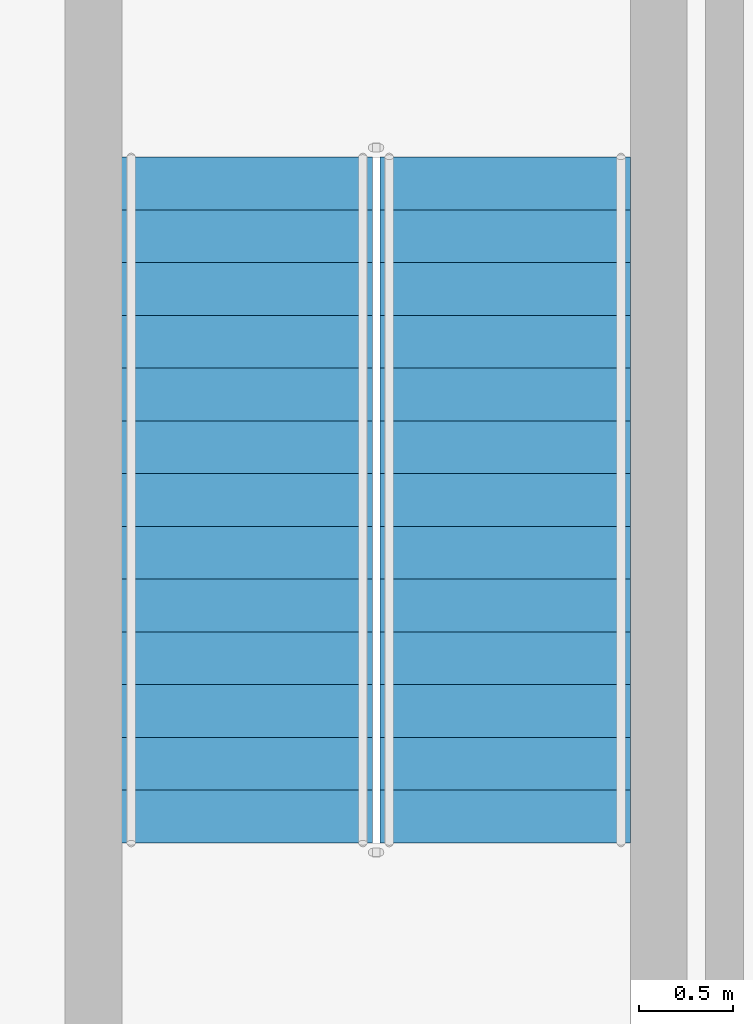
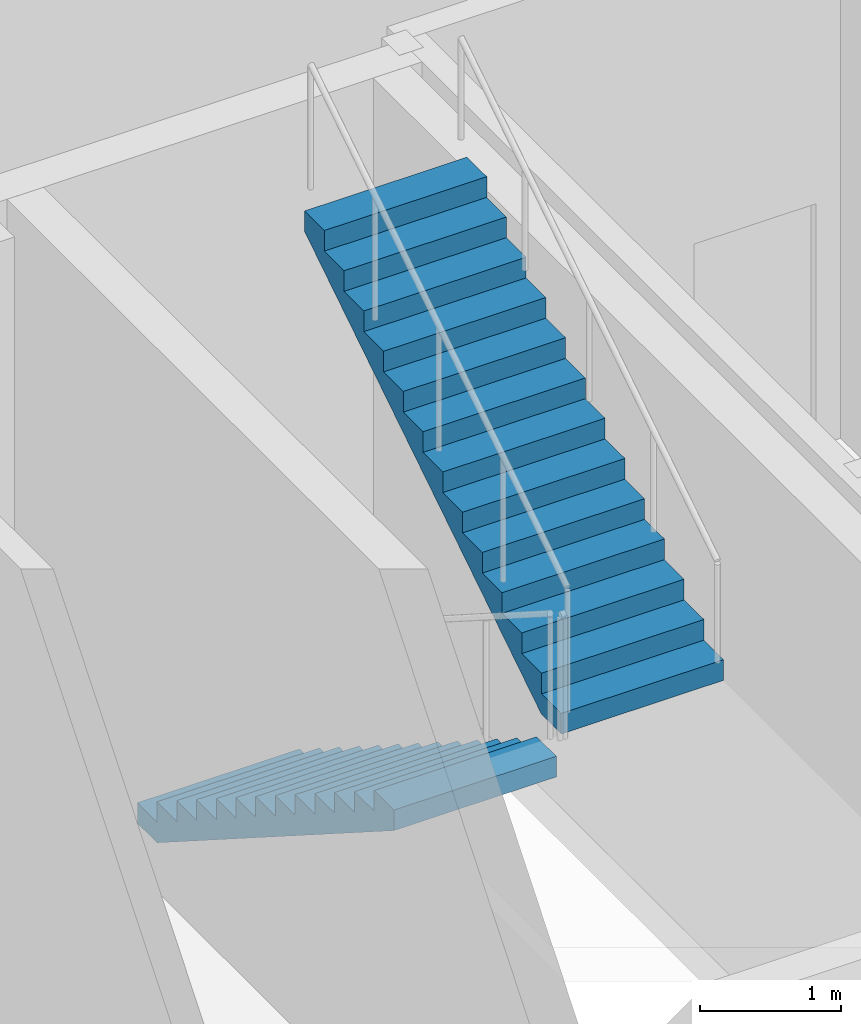
# One storey, part 16 of 31: 2 stair flights, 1 element without a shape of its own.
"""IFC4 building model written with IfcOpenShell, lengths in metres."""

from ifc_helpers import new_model, si_unit, direction, frame, origin, place, context, subcontext, project, spatial, triangles, source, transform, mapped, material, type_object, element, aggregate, save


model = new_model("IFC4")

# Units and contexts
model_context = context("Model", 3, precision=1e-05, world=origin(), true_north=direction((0.0, 1.0)))
body_context = subcontext(model_context, "Body", "Model", "MODEL_VIEW")
ifc_project = project(units=[si_unit("LENGTHUNIT", "METRE"), si_unit("AREAUNIT", "SQUARE_METRE"), si_unit("VOLUMEUNIT", "CUBIC_METRE"), si_unit("PLANEANGLEUNIT", "RADIAN"), si_unit("MASSUNIT", "GRAM", prefix="KILO")], contexts=[model_context])

# Site, building, storey
site_placement = place(None, origin())
site = spatial("IfcSite", under=ifc_project, at=site_placement, CompositionType="ELEMENT")
building_placement = place(site_placement, origin())
building = spatial("IfcBuilding", under=site, at=building_placement, Name="Ogive Portal Towers", CompositionType="ELEMENT")
storey_placement = place(building_placement, frame((0.0, 0.0, 13.5)))
storey = spatial("IfcBuildingStorey", under=building, at=storey_placement, Name="L02", CompositionType="ELEMENT", Elevation=13.5)

# Stair, stair flights
ifc_material = material(Name="Concrete C40/50", Category="concrete")
stair_type = type_object("IfcStairType", Name="INT-STAIR", PredefinedType="HALF_TURN_STAIR", material=ifc_material)
stair_placement = place(storey_placement, origin())
stair = element("IfcStair", 1, at=stair_placement, inside=storey, type_object=stair_type, Name="L02 Exit Stair ST-A4", PredefinedType="HALF_TURN_STAIR")
stair_flight_type = type_object("IfcStairFlightType", Name="INT-FLIGHT", PredefinedType="STRAIGHT", material=ifc_material)
shared_shape = source(origin(), body_context, "Body", "Tessellation", [
    triangles([(0.0, -0.6650390625, 0.0), (0.0, -0.384765625, 0.0), (0.0, -0.197021484375, 0.0), (0.0, -0.0830078125, 0.0), (0.0, -0.024658203125, 0.0), (0.0, -0.003173828125, 0.0), (0.0, 0.0, 0.0), (0.0, 0.003173828125, 0.0), (0.0, 0.024658203125, 0.0), (0.0, 0.0830078125, 0.0), (0.0, 0.197021484375, 0.0), (0.0, 0.384765625, 0.0), (0.0, 0.6650390625, 0.0), (0.0, -0.6650390625, 0.178466796875), (0.0, -0.384765625, 0.178466796875), (0.0, -0.197021484375, 0.178466796875), (0.0, -0.0830078125, 0.178466796875), (0.0, -0.024658203125, 0.178466796875), (0.0, -0.003173828125, 0.178466796875), (0.0, 0.0, 0.178466796875), (0.0, 0.003173828125, 0.178466796875), (0.0, 0.024658203125, 0.178466796875), (0.0, 0.0830078125, 0.178466796875), (0.0, 0.197021484375, 0.178466796875), (0.0, 0.384765625, 0.178466796875), (0.0, 0.6650390625, 0.178466796875), (0.280029296875, -0.6650390625, 0.178466796875), (0.280029296875, -0.384765625, 0.178466796875), (0.280029296875, -0.197021484375, 0.178466796875), (0.280029296875, -0.0830078125, 0.178466796875), (0.280029296875, -0.024658203125, 0.178466796875), (0.280029296875, -0.003173828125, 0.178466796875), (0.280029296875, 0.0, 0.178466796875), (0.280029296875, 0.003173828125, 0.178466796875), (0.280029296875, 0.024658203125, 0.178466796875), (0.280029296875, 0.0830078125, 0.178466796875), (0.280029296875, 0.197021484375, 0.178466796875), (0.280029296875, 0.384765625, 0.178466796875), (0.280029296875, 0.6650390625, 0.178466796875), (0.280029296875, -0.6650390625, 0.357177734375), (0.280029296875, -0.384765625, 0.357177734375), (0.280029296875, -0.197021484375, 0.357177734375), (0.280029296875, -0.0830078125, 0.357177734375), (0.280029296875, -0.024658203125, 0.357177734375), (0.280029296875, -0.003173828125, 0.357177734375), (0.280029296875, 0.0, 0.357177734375), (0.280029296875, 0.003173828125, 0.357177734375), (0.280029296875, 0.024658203125, 0.357177734375), (0.280029296875, 0.0830078125, 0.357177734375), (0.280029296875, 0.197021484375, 0.357177734375), (0.280029296875, 0.384765625, 0.357177734375), (0.280029296875, 0.6650390625, 0.357177734375), (0.56005859375, -0.6650390625, 0.357177734375), (0.56005859375, -0.384765625, 0.357177734375), (0.56005859375, -0.197021484375, 0.357177734375), (0.56005859375, -0.0830078125, 0.357177734375), (0.56005859375, -0.024658203125, 0.357177734375), (0.56005859375, -0.003173828125, 0.357177734375), (0.56005859375, 0.0, 0.357177734375), (0.56005859375, 0.003173828125, 0.357177734375), (0.56005859375, 0.024658203125, 0.357177734375), (0.56005859375, 0.0830078125, 0.357177734375), (0.56005859375, 0.197021484375, 0.357177734375), (0.56005859375, 0.384765625, 0.357177734375), (0.56005859375, 0.6650390625, 0.357177734375), (0.56005859375, -0.6650390625, 0.53564453125), (0.56005859375, -0.384765625, 0.53564453125), (0.56005859375, -0.197021484375, 0.53564453125), (0.56005859375, -0.0830078125, 0.53564453125), (0.56005859375, -0.024658203125, 0.53564453125), (0.56005859375, -0.003173828125, 0.53564453125), (0.56005859375, 0.0, 0.53564453125), (0.56005859375, 0.003173828125, 0.53564453125), (0.56005859375, 0.024658203125, 0.53564453125), (0.56005859375, 0.0830078125, 0.53564453125), (0.56005859375, 0.197021484375, 0.53564453125), (0.56005859375, 0.384765625, 0.53564453125), (0.56005859375, 0.6650390625, 0.53564453125), (0.840087890625, -0.6650390625, 0.53564453125), (0.840087890625, -0.384765625, 0.53564453125), (0.840087890625, -0.197021484375, 0.53564453125), (0.840087890625, -0.0830078125, 0.53564453125), (0.840087890625, -0.024658203125, 0.53564453125), (0.840087890625, -0.003173828125, 0.53564453125), (0.840087890625, 0.0, 0.53564453125), (0.840087890625, 0.003173828125, 0.53564453125), (0.840087890625, 0.024658203125, 0.53564453125), (0.840087890625, 0.0830078125, 0.53564453125), (0.840087890625, 0.197021484375, 0.53564453125), (0.840087890625, 0.384765625, 0.53564453125), (0.840087890625, 0.6650390625, 0.53564453125), (0.840087890625, -0.6650390625, 0.71435546875), (0.840087890625, -0.384765625, 0.71435546875), (0.840087890625, -0.197021484375, 0.71435546875), (0.840087890625, -0.0830078125, 0.71435546875), (0.840087890625, -0.024658203125, 0.71435546875), (0.840087890625, -0.003173828125, 0.71435546875), (0.840087890625, 0.0, 0.71435546875), (0.840087890625, 0.003173828125, 0.71435546875), (0.840087890625, 0.024658203125, 0.71435546875), (0.840087890625, 0.0830078125, 0.71435546875), (0.840087890625, 0.197021484375, 0.71435546875), (0.840087890625, 0.384765625, 0.71435546875), (0.840087890625, 0.6650390625, 0.71435546875), (1.1201171875, -0.6650390625, 0.71435546875), (1.1201171875, -0.384765625, 0.71435546875), (1.1201171875, -0.197021484375, 0.71435546875), (1.1201171875, -0.0830078125, 0.71435546875), (1.1201171875, -0.024658203125, 0.71435546875), (1.1201171875, -0.003173828125, 0.71435546875), (1.1201171875, 0.0, 0.71435546875), (1.1201171875, 0.003173828125, 0.71435546875), (1.1201171875, 0.024658203125, 0.71435546875), (1.1201171875, 0.0830078125, 0.71435546875), (1.1201171875, 0.197021484375, 0.71435546875), (1.1201171875, 0.384765625, 0.71435546875), (1.1201171875, 0.6650390625, 0.71435546875), (1.1201171875, -0.6650390625, 0.892822265625), (1.1201171875, -0.384765625, 0.892822265625), (1.1201171875, -0.197021484375, 0.892822265625), (1.1201171875, -0.0830078125, 0.892822265625), (1.1201171875, -0.024658203125, 0.892822265625), (1.1201171875, -0.003173828125, 0.892822265625), (1.1201171875, 0.0, 0.892822265625), (1.1201171875, 0.003173828125, 0.892822265625), (1.1201171875, 0.024658203125, 0.892822265625), (1.1201171875, 0.0830078125, 0.892822265625), (1.1201171875, 0.197021484375, 0.892822265625), (1.1201171875, 0.384765625, 0.892822265625), (1.1201171875, 0.6650390625, 0.892822265625), (1.39990234375, -0.6650390625, 0.892822265625), (1.39990234375, -0.384765625, 0.892822265625), (1.39990234375, -0.197021484375, 0.892822265625), (1.39990234375, -0.0830078125, 0.892822265625), (1.39990234375, -0.024658203125, 0.892822265625), (1.39990234375, -0.003173828125, 0.892822265625), (1.39990234375, 0.0, 0.892822265625), (1.39990234375, 0.003173828125, 0.892822265625), (1.39990234375, 0.024658203125, 0.892822265625), (1.39990234375, 0.0830078125, 0.892822265625), (1.39990234375, 0.197021484375, 0.892822265625), (1.39990234375, 0.384765625, 0.892822265625), (1.39990234375, 0.6650390625, 0.892822265625), (1.39990234375, -0.6650390625, 1.071533203125), (1.39990234375, -0.384765625, 1.071533203125), (1.39990234375, -0.197021484375, 1.071533203125), (1.39990234375, -0.0830078125, 1.071533203125), (1.39990234375, -0.024658203125, 1.071533203125), (1.39990234375, -0.003173828125, 1.071533203125), (1.39990234375, 0.0, 1.071533203125), (1.39990234375, 0.003173828125, 1.071533203125), (1.39990234375, 0.024658203125, 1.071533203125), (1.39990234375, 0.0830078125, 1.071533203125), (1.39990234375, 0.197021484375, 1.071533203125), (1.39990234375, 0.384765625, 1.071533203125), (1.39990234375, 0.6650390625, 1.071533203125), (1.679931640625, -0.6650390625, 1.071533203125), (1.679931640625, -0.384765625, 1.071533203125), (1.679931640625, -0.197021484375, 1.071533203125), (1.679931640625, -0.0830078125, 1.071533203125), (1.679931640625, -0.024658203125, 1.071533203125), (1.679931640625, -0.003173828125, 1.071533203125), (1.679931640625, 0.0, 1.071533203125), (1.679931640625, 0.003173828125, 1.071533203125), (1.679931640625, 0.024658203125, 1.071533203125), (1.679931640625, 0.0830078125, 1.071533203125), (1.679931640625, 0.197021484375, 1.071533203125), (1.679931640625, 0.384765625, 1.071533203125), (1.679931640625, 0.6650390625, 1.071533203125), (1.679931640625, -0.6650390625, 1.25), (1.679931640625, -0.384765625, 1.25), (1.679931640625, -0.197021484375, 1.25), (1.679931640625, -0.0830078125, 1.25), (1.679931640625, -0.024658203125, 1.25), (1.679931640625, -0.003173828125, 1.25), (1.679931640625, 0.0, 1.25), (1.679931640625, 0.003173828125, 1.25), (1.679931640625, 0.024658203125, 1.25), (1.679931640625, 0.0830078125, 1.25), (1.679931640625, 0.197021484375, 1.25), (1.679931640625, 0.384765625, 1.25), (1.679931640625, 0.6650390625, 1.25), (1.9599609375, -0.6650390625, 1.25), (1.9599609375, -0.384765625, 1.25), (1.9599609375, -0.197021484375, 1.25), (1.9599609375, -0.0830078125, 1.25), (1.9599609375, -0.024658203125, 1.25), (1.9599609375, -0.003173828125, 1.25), (1.9599609375, 0.0, 1.25), (1.9599609375, 0.003173828125, 1.25), (1.9599609375, 0.024658203125, 1.25), (1.9599609375, 0.0830078125, 1.25), (1.9599609375, 0.197021484375, 1.25), (1.9599609375, 0.384765625, 1.25), (1.9599609375, 0.6650390625, 1.25), (1.9599609375, -0.6650390625, 1.428466796875), (1.9599609375, -0.384765625, 1.428466796875), (1.9599609375, -0.197021484375, 1.428466796875), (1.9599609375, -0.0830078125, 1.428466796875), (1.9599609375, -0.024658203125, 1.428466796875), (1.9599609375, -0.003173828125, 1.428466796875), (1.9599609375, 0.0, 1.428466796875), (1.9599609375, 0.003173828125, 1.428466796875), (1.9599609375, 0.024658203125, 1.428466796875), (1.9599609375, 0.0830078125, 1.428466796875), (1.9599609375, 0.197021484375, 1.428466796875), (1.9599609375, 0.384765625, 1.428466796875), (1.9599609375, 0.6650390625, 1.428466796875), (2.239990234375, -0.6650390625, 1.428466796875), (2.239990234375, -0.384765625, 1.428466796875), (2.239990234375, -0.197021484375, 1.428466796875), (2.239990234375, -0.0830078125, 1.428466796875), (2.239990234375, -0.024658203125, 1.428466796875), (2.239990234375, -0.003173828125, 1.428466796875), (2.239990234375, 0.0, 1.428466796875), (2.239990234375, 0.003173828125, 1.428466796875), (2.239990234375, 0.024658203125, 1.428466796875), (2.239990234375, 0.0830078125, 1.428466796875), (2.239990234375, 0.197021484375, 1.428466796875), (2.239990234375, 0.384765625, 1.428466796875), (2.239990234375, 0.6650390625, 1.428466796875), (2.239990234375, -0.6650390625, 1.607177734375), (2.239990234375, -0.384765625, 1.607177734375), (2.239990234375, -0.197021484375, 1.607177734375), (2.239990234375, -0.0830078125, 1.607177734375), (2.239990234375, -0.024658203125, 1.607177734375), (2.239990234375, -0.003173828125, 1.607177734375), (2.239990234375, 0.0, 1.607177734375), (2.239990234375, 0.003173828125, 1.607177734375), (2.239990234375, 0.024658203125, 1.607177734375), (2.239990234375, 0.0830078125, 1.607177734375), (2.239990234375, 0.197021484375, 1.607177734375), (2.239990234375, 0.384765625, 1.607177734375), (2.239990234375, 0.6650390625, 1.607177734375), (2.52001953125, -0.6650390625, 1.607177734375), (2.52001953125, -0.384765625, 1.607177734375), (2.52001953125, -0.197021484375, 1.607177734375), (2.52001953125, -0.0830078125, 1.607177734375), (2.52001953125, -0.024658203125, 1.607177734375), (2.52001953125, -0.003173828125, 1.607177734375), (2.52001953125, 0.0, 1.607177734375), (2.52001953125, 0.003173828125, 1.607177734375), (2.52001953125, 0.024658203125, 1.607177734375), (2.52001953125, 0.0830078125, 1.607177734375), (2.52001953125, 0.197021484375, 1.607177734375), (2.52001953125, 0.384765625, 1.607177734375), (2.52001953125, 0.6650390625, 1.607177734375), (2.52001953125, -0.6650390625, 1.78564453125), (2.52001953125, -0.384765625, 1.78564453125), (2.52001953125, -0.197021484375, 1.78564453125), (2.52001953125, -0.0830078125, 1.78564453125), (2.52001953125, -0.024658203125, 1.78564453125), (2.52001953125, -0.003173828125, 1.78564453125), (2.52001953125, 0.0, 1.78564453125), (2.52001953125, 0.003173828125, 1.78564453125), (2.52001953125, 0.024658203125, 1.78564453125), (2.52001953125, 0.0830078125, 1.78564453125), (2.52001953125, 0.197021484375, 1.78564453125), (2.52001953125, 0.384765625, 1.78564453125), (2.52001953125, 0.6650390625, 1.78564453125), (2.800048828125, -0.6650390625, 1.78564453125), (2.800048828125, -0.384765625, 1.78564453125), (2.800048828125, -0.197021484375, 1.78564453125), (2.800048828125, -0.0830078125, 1.78564453125), (2.800048828125, -0.024658203125, 1.78564453125), (2.800048828125, -0.003173828125, 1.78564453125), (2.800048828125, 0.0, 1.78564453125), (2.800048828125, 0.003173828125, 1.78564453125), (2.800048828125, 0.024658203125, 1.78564453125), (2.800048828125, 0.0830078125, 1.78564453125), (2.800048828125, 0.197021484375, 1.78564453125), (2.800048828125, 0.384765625, 1.78564453125), (2.800048828125, 0.6650390625, 1.78564453125), (2.800048828125, -0.6650390625, 1.96435546875), (2.800048828125, -0.384765625, 1.96435546875), (2.800048828125, -0.197021484375, 1.96435546875), (2.800048828125, -0.0830078125, 1.96435546875), (2.800048828125, -0.024658203125, 1.96435546875), (2.800048828125, -0.003173828125, 1.96435546875), (2.800048828125, 0.0, 1.96435546875), (2.800048828125, 0.003173828125, 1.96435546875), (2.800048828125, 0.024658203125, 1.96435546875), (2.800048828125, 0.0830078125, 1.96435546875), (2.800048828125, 0.197021484375, 1.96435546875), (2.800048828125, 0.384765625, 1.96435546875), (2.800048828125, 0.6650390625, 1.96435546875), (3.080078125, -0.6650390625, 1.96435546875), (3.080078125, -0.384765625, 1.96435546875), (3.080078125, -0.197021484375, 1.96435546875), (3.080078125, -0.0830078125, 1.96435546875), (3.080078125, -0.024658203125, 1.96435546875), (3.080078125, -0.003173828125, 1.96435546875), (3.080078125, 0.0, 1.96435546875), (3.080078125, 0.003173828125, 1.96435546875), (3.080078125, 0.024658203125, 1.96435546875), (3.080078125, 0.0830078125, 1.96435546875), (3.080078125, 0.197021484375, 1.96435546875), (3.080078125, 0.384765625, 1.96435546875), (3.080078125, 0.6650390625, 1.96435546875), (3.080078125, -0.6650390625, 2.142822265625), (3.080078125, -0.384765625, 2.142822265625), (3.080078125, -0.197021484375, 2.142822265625), (3.080078125, -0.0830078125, 2.142822265625), (3.080078125, -0.024658203125, 2.142822265625), (3.080078125, -0.003173828125, 2.142822265625), (3.080078125, 0.0, 2.142822265625), (3.080078125, 0.003173828125, 2.142822265625), (3.080078125, 0.024658203125, 2.142822265625), (3.080078125, 0.0830078125, 2.142822265625), (3.080078125, 0.197021484375, 2.142822265625), (3.080078125, 0.384765625, 2.142822265625), (3.080078125, 0.6650390625, 2.142822265625), (3.360107421875, -0.6650390625, 2.142822265625), (3.360107421875, -0.384765625, 2.142822265625), (3.360107421875, -0.197021484375, 2.142822265625), (3.360107421875, -0.0830078125, 2.142822265625), (3.360107421875, -0.024658203125, 2.142822265625), (3.360107421875, -0.003173828125, 2.142822265625), (3.360107421875, 0.0, 2.142822265625), (3.360107421875, 0.003173828125, 2.142822265625), (3.360107421875, 0.024658203125, 2.142822265625), (3.360107421875, 0.0830078125, 2.142822265625), (3.360107421875, 0.197021484375, 2.142822265625), (3.360107421875, 0.384765625, 2.142822265625), (3.360107421875, 0.6650390625, 2.142822265625), (3.360107421875, -0.6650390625, 2.321533203125), (3.360107421875, -0.384765625, 2.321533203125), (3.360107421875, -0.197021484375, 2.321533203125), (3.360107421875, -0.0830078125, 2.321533203125), (3.360107421875, -0.024658203125, 2.321533203125), (3.360107421875, -0.003173828125, 2.321533203125), (3.360107421875, 0.0, 2.321533203125), (3.360107421875, 0.003173828125, 2.321533203125), (3.360107421875, 0.024658203125, 2.321533203125), (3.360107421875, 0.0830078125, 2.321533203125), (3.360107421875, 0.197021484375, 2.321533203125), (3.360107421875, 0.384765625, 2.321533203125), (3.360107421875, 0.6650390625, 2.321533203125), (3.639892578125, -0.6650390625, 2.321533203125), (3.639892578125, -0.384765625, 2.321533203125), (3.639892578125, -0.197021484375, 2.321533203125), (3.639892578125, -0.0830078125, 2.321533203125), (3.639892578125, -0.024658203125, 2.321533203125), (3.639892578125, -0.003173828125, 2.321533203125), (3.639892578125, 0.0, 2.321533203125), (3.639892578125, 0.003173828125, 2.321533203125), (3.639892578125, 0.024658203125, 2.321533203125), (3.639892578125, 0.0830078125, 2.321533203125), (3.639892578125, 0.197021484375, 2.321533203125), (3.639892578125, 0.384765625, 2.321533203125), (3.639892578125, 0.6650390625, 2.321533203125), (3.639892578125, -0.6650390625, 2.1435546875), (3.639892578125, -0.384765625, 2.1435546875), (3.639892578125, -0.197021484375, 2.1435546875), (3.639892578125, -0.0830078125, 2.1435546875), (3.639892578125, -0.024658203125, 2.1435546875), (3.639892578125, -0.003173828125, 2.1435546875), (3.639892578125, 0.0, 2.1435546875), (3.639892578125, 0.003173828125, 2.1435546875), (3.639892578125, 0.024658203125, 2.1435546875), (3.639892578125, 0.0830078125, 2.1435546875), (3.639892578125, 0.197021484375, 2.1435546875), (3.639892578125, 0.384765625, 2.1435546875), (3.639892578125, 0.6650390625, 2.1435546875), (0.27880859375, -0.6650390625, 0.0), (0.27880859375, -0.384765625, 0.0), (0.27880859375, -0.197021484375, 0.0), (0.27880859375, -0.0830078125, 0.0), (0.27880859375, -0.024658203125, 0.0), (0.27880859375, -0.003173828125, 0.0), (0.27880859375, 0.0, 0.0), (0.27880859375, 0.003173828125, 0.0), (0.27880859375, 0.024658203125, 0.0), (0.27880859375, 0.0830078125, 0.0), (0.27880859375, 0.197021484375, 0.0), (0.27880859375, 0.384765625, 0.0), (0.27880859375, 0.6650390625, 0.0)], [[1, 14, 15], [1, 15, 2], [2, 15, 16], [2, 16, 3], [3, 16, 17], [3, 17, 4], [4, 17, 18], [4, 18, 5], [5, 18, 19], [5, 19, 6], [6, 19, 20], [6, 20, 7], [7, 20, 21], [7, 21, 8], [8, 21, 22], [8, 22, 9], [9, 22, 23], [9, 23, 10], [10, 23, 24], [10, 24, 11], [11, 24, 25], [11, 25, 12], [12, 25, 26], [12, 26, 13], [14, 27, 28], [14, 28, 15], [15, 28, 29], [15, 29, 16], [16, 29, 30], [16, 30, 17], [17, 30, 31], [17, 31, 18], [18, 31, 32], [18, 32, 19], [19, 32, 33], [19, 33, 20], [20, 33, 34], [20, 34, 21], [21, 34, 35], [21, 35, 22], [22, 35, 36], [22, 36, 23], [23, 36, 37], [23, 37, 24], [24, 37, 38], [24, 38, 25], [25, 38, 39], [25, 39, 26], [27, 40, 41], [27, 41, 28], [28, 41, 42], [28, 42, 29], [29, 42, 43], [29, 43, 30], [30, 43, 44], [30, 44, 31], [31, 44, 45], [31, 45, 32], [32, 45, 46], [32, 46, 33], [33, 46, 47], [33, 47, 34], [34, 47, 48], [34, 48, 35], [35, 48, 49], [35, 49, 36], [36, 49, 50], [36, 50, 37], [37, 50, 51], [37, 51, 38], [38, 51, 52], [38, 52, 39], [40, 53, 54], [40, 54, 41], [41, 54, 55], [41, 55, 42], [42, 55, 56], [42, 56, 43], [43, 56, 57], [43, 57, 44], [44, 57, 58], [44, 58, 45], [45, 58, 59], [45, 59, 46], [46, 59, 60], [46, 60, 47], [47, 60, 61], [47, 61, 48], [48, 61, 62], [48, 62, 49], [49, 62, 63], [49, 63, 50], [50, 63, 64], [50, 64, 51], [51, 64, 65], [51, 65, 52], [53, 66, 67], [53, 67, 54], [54, 67, 68], [54, 68, 55], [55, 68, 69], [55, 69, 56], [56, 69, 70], [56, 70, 57], [57, 70, 71], [57, 71, 58], [58, 71, 72], [58, 72, 59], [59, 72, 73], [59, 73, 60], [60, 73, 74], [60, 74, 61], [61, 74, 75], [61, 75, 62], [62, 75, 76], [62, 76, 63], [63, 76, 77], [63, 77, 64], [64, 77, 78], [64, 78, 65], [66, 79, 80], [66, 80, 67], [67, 80, 81], [67, 81, 68], [68, 81, 82], [68, 82, 69], [69, 82, 83], [69, 83, 70], [70, 83, 84], [70, 84, 71], [71, 84, 85], [71, 85, 72], [72, 85, 86], [72, 86, 73], [73, 86, 87], [73, 87, 74], [74, 87, 88], [74, 88, 75], [75, 88, 89], [75, 89, 76], [76, 89, 90], [76, 90, 77], [77, 90, 91], [77, 91, 78], [79, 92, 93], [79, 93, 80], [80, 93, 94], [80, 94, 81], [81, 94, 95], [81, 95, 82], [82, 95, 96], [82, 96, 83], [83, 96, 97], [83, 97, 84], [84, 97, 98], [84, 98, 85], [85, 98, 99], [85, 99, 86], [86, 99, 100], [86, 100, 87], [87, 100, 101], [87, 101, 88], [88, 101, 102], [88, 102, 89], [89, 102, 103], [89, 103, 90], [90, 103, 104], [90, 104, 91], [92, 105, 106], [92, 106, 93], [93, 106, 107], [93, 107, 94], [94, 107, 108], [94, 108, 95], [95, 108, 109], [95, 109, 96], [96, 109, 110], [96, 110, 97], [97, 110, 111], [97, 111, 98], [98, 111, 112], [98, 112, 99], [99, 112, 113], [99, 113, 100], [100, 113, 114], [100, 114, 101], [101, 114, 115], [101, 115, 102], [102, 115, 116], [102, 116, 103], [103, 116, 117], [103, 117, 104], [105, 118, 119], [105, 119, 106], [106, 119, 120], [106, 120, 107], [107, 120, 121], [107, 121, 108], [108, 121, 122], [108, 122, 109], [109, 122, 123], [109, 123, 110], [110, 123, 124], [110, 124, 111], [111, 124, 125], [111, 125, 112], [112, 125, 126], [112, 126, 113], [113, 126, 127], [113, 127, 114], [114, 127, 128], [114, 128, 115], [115, 128, 129], [115, 129, 116], [116, 129, 130], [116, 130, 117], [118, 131, 132], [118, 132, 119], [119, 132, 133], [119, 133, 120], [120, 133, 134], [120, 134, 121], [121, 134, 135], [121, 135, 122], [122, 135, 136], [122, 136, 123], [123, 136, 137], [123, 137, 124], [124, 137, 138], [124, 138, 125], [125, 138, 139], [125, 139, 126], [126, 139, 140], [126, 140, 127], [127, 140, 141], [127, 141, 128], [128, 141, 142], [128, 142, 129], [129, 142, 143], [129, 143, 130], [131, 144, 145], [131, 145, 132], [132, 145, 146], [132, 146, 133], [133, 146, 147], [133, 147, 134], [134, 147, 148], [134, 148, 135], [135, 148, 149], [135, 149, 136], [136, 149, 150], [136, 150, 137], [137, 150, 151], [137, 151, 138], [138, 151, 152], [138, 152, 139], [139, 152, 153], [139, 153, 140], [140, 153, 154], [140, 154, 141], [141, 154, 155], [141, 155, 142], [142, 155, 156], [142, 156, 143], [144, 157, 158], [144, 158, 145], [145, 158, 159], [145, 159, 146], [146, 159, 160], [146, 160, 147], [147, 160, 161], [147, 161, 148], [148, 161, 162], [148, 162, 149], [149, 162, 163], [149, 163, 150], [150, 163, 164], [150, 164, 151], [151, 164, 165], [151, 165, 152], [152, 165, 166], [152, 166, 153], [153, 166, 167], [153, 167, 154], [154, 167, 168], [154, 168, 155], [155, 168, 169], [155, 169, 156], [157, 170, 171], [157, 171, 158], [158, 171, 172], [158, 172, 159], [159, 172, 173], [159, 173, 160], [160, 173, 174], [160, 174, 161], [161, 174, 175], [161, 175, 162], [162, 175, 176], [162, 176, 163], [163, 176, 177], [163, 177, 164], [164, 177, 178], [164, 178, 165], [165, 178, 179], [165, 179, 166], [166, 179, 180], [166, 180, 167], [167, 180, 181], [167, 181, 168], [168, 181, 182], [168, 182, 169], [170, 183, 184], [170, 184, 171], [171, 184, 185], [171, 185, 172], [172, 185, 186], [172, 186, 173], [173, 186, 187], [173, 187, 174], [174, 187, 188], [174, 188, 175], [175, 188, 189], [175, 189, 176], [176, 189, 190], [176, 190, 177], [177, 190, 191], [177, 191, 178], [178, 191, 192], [178, 192, 179], [179, 192, 193], [179, 193, 180], [180, 193, 194], [180, 194, 181], [181, 194, 195], [181, 195, 182], [183, 196, 197], [183, 197, 184], [184, 197, 198], [184, 198, 185], [185, 198, 199], [185, 199, 186], [186, 199, 200], [186, 200, 187], [187, 200, 201], [187, 201, 188], [188, 201, 202], [188, 202, 189], [189, 202, 203], [189, 203, 190], [190, 203, 204], [190, 204, 191], [191, 204, 205], [191, 205, 192], [192, 205, 206], [192, 206, 193], [193, 206, 207], [193, 207, 194], [194, 207, 208], [194, 208, 195], [196, 209, 210], [196, 210, 197], [197, 210, 211], [197, 211, 198], [198, 211, 212], [198, 212, 199], [199, 212, 213], [199, 213, 200], [200, 213, 214], [200, 214, 201], [201, 214, 215], [201, 215, 202], [202, 215, 216], [202, 216, 203], [203, 216, 217], [203, 217, 204], [204, 217, 218], [204, 218, 205], [205, 218, 219], [205, 219, 206], [206, 219, 220], [206, 220, 207], [207, 220, 221], [207, 221, 208], [209, 222, 223], [209, 223, 210], [210, 223, 224], [210, 224, 211], [211, 224, 225], [211, 225, 212], [212, 225, 226], [212, 226, 213], [213, 226, 227], [213, 227, 214], [214, 227, 228], [214, 228, 215], [215, 228, 229], [215, 229, 216], [216, 229, 230], [216, 230, 217], [217, 230, 231], [217, 231, 218], [218, 231, 232], [218, 232, 219], [219, 232, 233], [219, 233, 220], [220, 233, 234], [220, 234, 221], [222, 235, 236], [222, 236, 223], [223, 236, 237], [223, 237, 224], [224, 237, 238], [224, 238, 225], [225, 238, 239], [225, 239, 226], [226, 239, 240], [226, 240, 227], [227, 240, 241], [227, 241, 228], [228, 241, 242], [228, 242, 229], [229, 242, 243], [229, 243, 230], [230, 243, 244], [230, 244, 231], [231, 244, 245], [231, 245, 232], [232, 245, 246], [232, 246, 233], [233, 246, 247], [233, 247, 234], [235, 248, 249], [235, 249, 236], [236, 249, 250], [236, 250, 237], [237, 250, 251], [237, 251, 238], [238, 251, 252], [238, 252, 239], [239, 252, 253], [239, 253, 240], [240, 253, 254], [240, 254, 241], [241, 254, 255], [241, 255, 242], [242, 255, 256], [242, 256, 243], [243, 256, 257], [243, 257, 244], [244, 257, 258], [244, 258, 245], [245, 258, 259], [245, 259, 246], [246, 259, 260], [246, 260, 247], [248, 261, 262], [248, 262, 249], [249, 262, 263], [249, 263, 250], [250, 263, 264], [250, 264, 251], [251, 264, 265], [251, 265, 252], [252, 265, 266], [252, 266, 253], [253, 266, 267], [253, 267, 254], [254, 267, 268], [254, 268, 255], [255, 268, 269], [255, 269, 256], [256, 269, 270], [256, 270, 257], [257, 270, 271], [257, 271, 258], [258, 271, 272], [258, 272, 259], [259, 272, 273], [259, 273, 260], [261, 274, 275], [261, 275, 262], [262, 275, 276], [262, 276, 263], [263, 276, 277], [263, 277, 264], [264, 277, 278], [264, 278, 265], [265, 278, 279], [265, 279, 266], [266, 279, 280], [266, 280, 267], [267, 280, 281], [267, 281, 268], [268, 281, 282], [268, 282, 269], [269, 282, 283], [269, 283, 270], [270, 283, 284], [270, 284, 271], [271, 284, 285], [271, 285, 272], [272, 285, 286], [272, 286, 273], [274, 287, 288], [274, 288, 275], [275, 288, 289], [275, 289, 276], [276, 289, 290], [276, 290, 277], [277, 290, 291], [277, 291, 278], [278, 291, 292], [278, 292, 279], [279, 292, 293], [279, 293, 280], [280, 293, 294], [280, 294, 281], [281, 294, 295], [281, 295, 282], [282, 295, 296], [282, 296, 283], [283, 296, 297], [283, 297, 284], [284, 297, 298], [284, 298, 285], [285, 298, 299], [285, 299, 286], [287, 300, 301], [287, 301, 288], [288, 301, 302], [288, 302, 289], [289, 302, 303], [289, 303, 290], [290, 303, 304], [290, 304, 291], [291, 304, 305], [291, 305, 292], [292, 305, 306], [292, 306, 293], [293, 306, 307], [293, 307, 294], [294, 307, 308], [294, 308, 295], [295, 308, 309], [295, 309, 296], [296, 309, 310], [296, 310, 297], [297, 310, 311], [297, 311, 298], [298, 311, 312], [298, 312, 299], [300, 313, 314], [300, 314, 301], [301, 314, 315], [301, 315, 302], [302, 315, 316], [302, 316, 303], [303, 316, 317], [303, 317, 304], [304, 317, 318], [304, 318, 305], [305, 318, 319], [305, 319, 306], [306, 319, 320], [306, 320, 307], [307, 320, 321], [307, 321, 308], [308, 321, 322], [308, 322, 309], [309, 322, 323], [309, 323, 310], [310, 323, 324], [310, 324, 311], [311, 324, 325], [311, 325, 312], [313, 326, 327], [313, 327, 314], [314, 327, 328], [314, 328, 315], [315, 328, 329], [315, 329, 316], [316, 329, 330], [316, 330, 317], [317, 330, 331], [317, 331, 318], [318, 331, 332], [318, 332, 319], [319, 332, 333], [319, 333, 320], [320, 333, 334], [320, 334, 321], [321, 334, 335], [321, 335, 322], [322, 335, 336], [322, 336, 323], [323, 336, 337], [323, 337, 324], [324, 337, 338], [324, 338, 325], [326, 339, 340], [326, 340, 327], [327, 340, 341], [327, 341, 328], [328, 341, 342], [328, 342, 329], [329, 342, 343], [329, 343, 330], [330, 343, 344], [330, 344, 331], [331, 344, 345], [331, 345, 332], [332, 345, 346], [332, 346, 333], [333, 346, 347], [333, 347, 334], [334, 347, 348], [334, 348, 335], [335, 348, 349], [335, 349, 336], [336, 349, 350], [336, 350, 337], [337, 350, 351], [337, 351, 338], [339, 352, 353], [339, 353, 340], [340, 353, 354], [340, 354, 341], [341, 354, 355], [341, 355, 342], [342, 355, 356], [342, 356, 343], [343, 356, 357], [343, 357, 344], [344, 357, 358], [344, 358, 345], [345, 358, 359], [345, 359, 346], [346, 359, 360], [346, 360, 347], [347, 360, 361], [347, 361, 348], [348, 361, 362], [348, 362, 349], [349, 362, 363], [349, 363, 350], [350, 363, 364], [350, 364, 351], [352, 365, 366], [352, 366, 353], [353, 366, 367], [353, 367, 354], [354, 367, 368], [354, 368, 355], [355, 368, 369], [355, 369, 356], [356, 369, 370], [356, 370, 357], [357, 370, 371], [357, 371, 358], [358, 371, 372], [358, 372, 359], [359, 372, 373], [359, 373, 360], [360, 373, 374], [360, 374, 361], [361, 374, 375], [361, 375, 362], [362, 375, 376], [362, 376, 363], [363, 376, 377], [363, 377, 364], [365, 1, 2], [365, 2, 366], [366, 2, 3], [366, 3, 367], [367, 3, 4], [367, 4, 368], [368, 4, 5], [368, 5, 369], [369, 5, 6], [369, 6, 370], [370, 6, 7], [370, 7, 371], [371, 7, 8], [371, 8, 372], [372, 8, 9], [372, 9, 373], [373, 9, 10], [373, 10, 374], [374, 10, 11], [374, 11, 375], [375, 11, 12], [375, 12, 376], [376, 12, 13], [376, 13, 377], [1, 365, 352], [13, 364, 377], [352, 339, 326], [364, 338, 351], [352, 326, 313], [364, 325, 338], [313, 300, 287], [325, 299, 312], [352, 313, 287], [364, 299, 325], [287, 274, 261], [299, 273, 286], [352, 287, 261], [364, 273, 299], [261, 248, 235], [273, 247, 260], [352, 261, 235], [364, 247, 273], [235, 222, 209], [247, 221, 234], [352, 235, 209], [364, 221, 247], [209, 196, 183], [221, 195, 208], [352, 209, 183], [364, 195, 221], [183, 170, 157], [195, 169, 182], [352, 183, 157], [364, 169, 195], [157, 144, 131], [169, 143, 156], [352, 157, 131], [364, 143, 169], [131, 118, 105], [143, 117, 130], [352, 131, 105], [364, 117, 143], [105, 92, 79], [117, 91, 104], [352, 105, 79], [364, 91, 117], [79, 66, 53], [91, 65, 78], [352, 79, 53], [364, 65, 91], [53, 40, 27], [65, 39, 52], [352, 53, 27], [364, 39, 65], [1, 352, 27], [13, 39, 364], [27, 14, 1], [39, 13, 26]], closed=True),
])
stair_flight_1_placement = place(storey_placement, frame((87.6650390625, 29.169921875, 0.0), z_axis=(0.0, 0.0, 1.0), x_axis=(0.0, -1.0, 0.0)))
stair_flight_1 = element("IfcStairFlight", 2, at=stair_flight_1_placement, type_object=stair_flight_type, Name="ST-A4 flight 1", NumberOfRisers=14, NumberOfTreads=13, PredefinedType="STRAIGHT", RiserHeight=0.178571429, TreadLength=0.28, context=body_context, shape_type="MappedRepresentation", body=[
    mapped(shared_shape, transform((0.0, 0.0, 0.0), scale=1.0)),
])
stair_flight_2_placement = place(storey_placement, frame((89.034912109375, 25.530029296875, 2.5), z_axis=(0.0, 0.0, 1.0), x_axis=(0.0, 1.0, 0.0)))
stair_flight_2 = element("IfcStairFlight", 3, at=stair_flight_2_placement, type_object=stair_flight_type, Name="ST-A4 flight 2", NumberOfRisers=14, NumberOfTreads=13, PredefinedType="STRAIGHT", RiserHeight=0.178571429, TreadLength=0.28, context=body_context, shape_type="MappedRepresentation", body=[
    mapped(shared_shape, transform((0.0, 0.0, 0.0), scale=1.0)),
])
aggregate(stair, [stair_flight_1, stair_flight_2])

save(model, "model.ifc")
